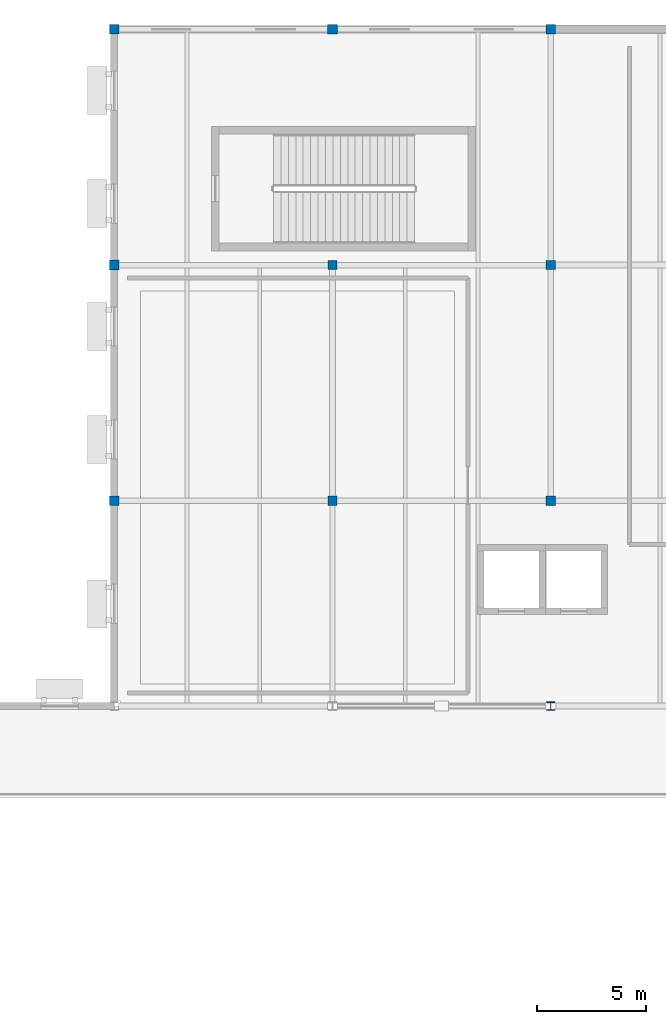
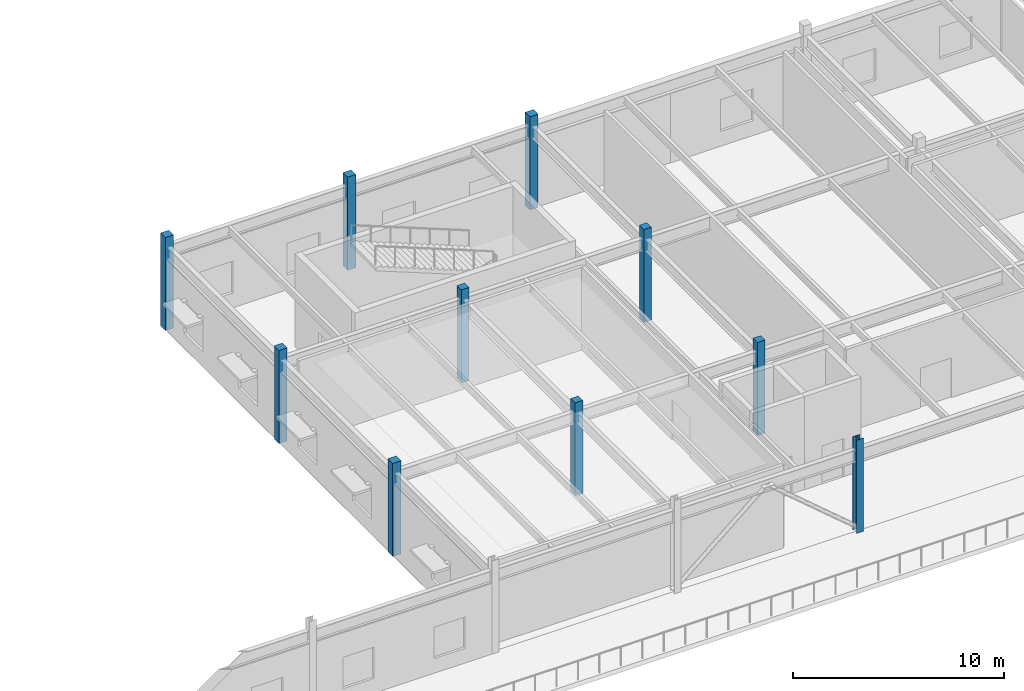
# One storey, part 5 of 68: 10 columns.
"""IFC4 building model written with IfcOpenShell, lengths in metres."""

from ifc_helpers import new_model, si_unit, direction, frame, origin, origin_2d, place, context, subcontext, project, spatial, rectangle, i_section, extrude, material, material_profile, profile_set, type_object, element, save


model = new_model("IFC4")

# Units and contexts
model_context = context("Model", 3, precision=1e-05, world=origin(), true_north=direction((0.0, 1.0)))
body_context = subcontext(model_context, "Body", "Model", "MODEL_VIEW")
ifc_project = project(units=[si_unit("LENGTHUNIT", "METRE"), si_unit("AREAUNIT", "SQUARE_METRE"), si_unit("VOLUMEUNIT", "CUBIC_METRE"), si_unit("PLANEANGLEUNIT", "RADIAN"), si_unit("MASSUNIT", "GRAM", prefix="KILO")], contexts=[model_context])

# Site, building, storey
site_placement = place(None, origin())
site = spatial("IfcSite", under=ifc_project, at=site_placement, CompositionType="ELEMENT")
building_placement = place(site_placement, origin())
building = spatial("IfcBuilding", under=site, at=building_placement, Name="Veldera Park Congress Hotel", CompositionType="ELEMENT")
storey_placement = place(building_placement, frame((0.0, 0.0, 10.800048828125)))
storey = spatial("IfcBuildingStorey", under=building, at=storey_placement, Name="L02", CompositionType="ELEMENT", Elevation=10.800048828125)

# Columns
ifc_material_1 = material(Name="Glulam GL28h (NDS 24F-V4)", Category="wood")
ifc_material_profile_1 = material_profile(ifc_material_1, rectangle(XDim=0.419921875, YDim=0.419921875, at=origin_2d()), Name="GL28h 420x420")
ifc_profile_set_1 = profile_set([ifc_material_profile_1], Name="Glulam GL28h (NDS 24F-V4)")
column_type_1 = type_object("IfcColumnType", Name="COL-GL42", PredefinedType="COLUMN", material=ifc_profile_set_1)
for number, where, z_axis, x_axis, name in (
    (1, (-37.39990234375, 36.39990234375, 0.0), (0.0, 0.0, 1.0), (1.0, 0.0, 0.0), "L02 Column COL-GL42 (-37.4,36.4)"),
    (2, (-37.39990234375, 47.199951171875, 0.0), (0.0, 0.0, 1.0), (1.0, 0.0, 0.0), "L02 Column COL-GL42 (-37.4,47.2)"),
    (3, (-27.39990234375, 36.39990234375, 0.0), (0.0, 0.0, 1.0), (1.0, 0.0, 0.0), "L02 Column COL-GL42 (-27.4,36.4)"),
    (4, (-27.39990234375, 47.199951171875, 0.0), (0.0, 0.0, 1.0), (1.0, 0.0, 0.0), "L02 Column COL-GL42 (-27.4,47.2)"),
):
    element("IfcColumn", number, at=place(storey_placement, frame(where, z_axis=z_axis, x_axis=x_axis)), inside=storey, type_object=column_type_1, Name=name, PredefinedType="COLUMN", context=body_context, shape_type="SweptSolid", body=[
        extrude(rectangle(XDim=0.419921875, YDim=0.419921875, at=origin_2d()), origin(), (0.0, 0.0, 1.0), 5.39990234375),
    ])
ifc_material_profile_2 = material_profile(ifc_material_1, rectangle(XDim=0.449951171875, YDim=0.449951171875, at=origin_2d()), Name="GL28h 450x450")
ifc_profile_set_2 = profile_set([ifc_material_profile_2], Name="Glulam GL28h (NDS 24F-V4)")
column_type_2 = type_object("IfcColumnType", Name="COL-GL42E", PredefinedType="COLUMN", material=ifc_profile_set_2)
for number, where, z_axis, x_axis, name in (
    (5, (-47.39990234375, 36.39990234375, 0.0), (0.0, 0.0, 1.0), (1.0, 0.0, 0.0), "L02 Column COL-GL42E (-47.4,36.4)"),
    (6, (-47.39990234375, 47.199951171875, 0.0), (0.0, 0.0, 1.0), (1.0, 0.0, 0.0), "L02 Column COL-GL42E (-47.4,47.2)"),
    (7, (-47.39990234375, 58.0, 0.0), (0.0, 0.0, 1.0), (1.0, 0.0, 0.0), "L02 Column COL-GL42E (-47.4,58.0)"),
    (8, (-37.39990234375, 58.0, 0.0), (0.0, 0.0, 1.0), (1.0, 0.0, 0.0), "L02 Column COL-GL42E (-37.4,58.0)"),
    (9, (-27.39990234375, 58.0, 0.0), (0.0, 0.0, 1.0), (1.0, 0.0, 0.0), "L02 Column COL-GL42E (-27.4,58.0)"),
):
    element("IfcColumn", number, at=place(storey_placement, frame(where, z_axis=z_axis, x_axis=x_axis)), inside=storey, type_object=column_type_2, Name=name, PredefinedType="COLUMN", context=body_context, shape_type="SweptSolid", body=[
        extrude(rectangle(XDim=0.449951171875, YDim=0.449951171875, at=origin_2d()), origin(), (0.0, 0.0, 1.0), 5.39990234375),
    ])
ifc_material_2 = material(Name="Steel ASTM A992 Gr.50", Category="steel")
ifc_material_profile_3 = material_profile(ifc_material_2, i_section(OverallWidth=0.3740234375, OverallDepth=0.3720703125, WebThickness=0.016357421875, FlangeThickness=0.026123046875, at=origin_2d()), Name="W14X132")
ifc_profile_set_3 = profile_set([ifc_material_profile_3], Name="Steel ASTM A992 Gr.50")
column_type_3 = type_object("IfcColumnType", Name="COL-STL132", PredefinedType="COLUMN", material=ifc_profile_set_3)
column_placement = place(storey_placement, frame((-27.39990234375, 27.0, 0.0), z_axis=(0.0, 0.0, 1.0), x_axis=(1.0, 0.0, 0.0)))
element("IfcColumn", 10, at=column_placement, inside=storey, type_object=column_type_3, Name="L02 Column COL-STL132 (-27.4,27.0)", PredefinedType="COLUMN", context=body_context, shape_type="SweptSolid", body=[
    extrude(i_section(OverallWidth=0.3740234375, OverallDepth=0.3720703125, WebThickness=0.016357421875, FlangeThickness=0.026123046875, at=origin_2d()), origin(), (0.0, 0.0, 1.0), 5.39990234375),
])

save(model, "model.ifc")
